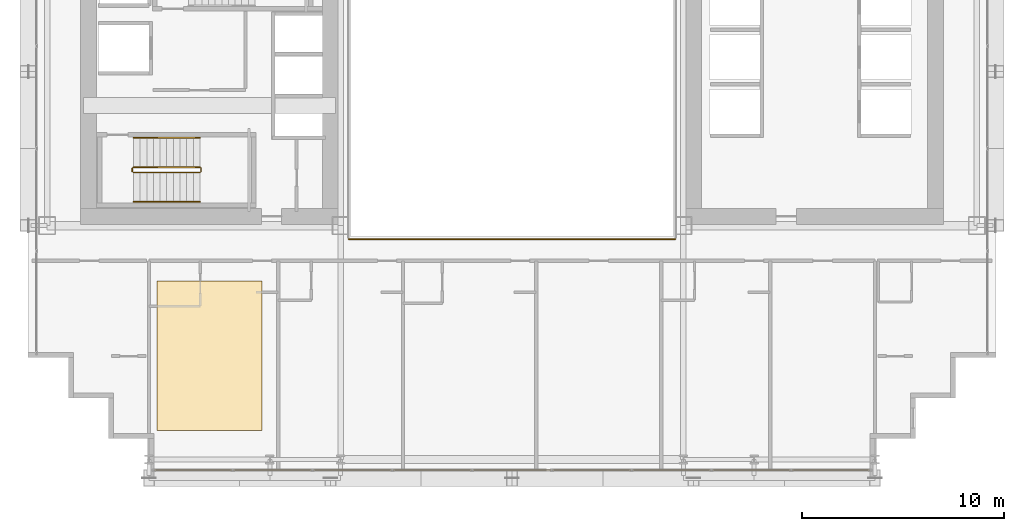
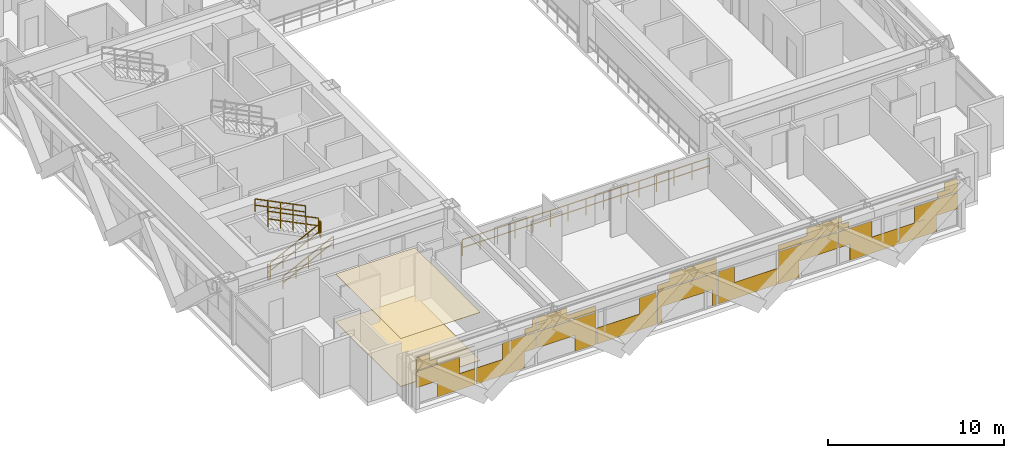
# One storey, part 35 of 38: 7 railings, 3 coverings.
"""IFC4 building model written with IfcOpenShell, lengths in metres."""

from ifc_helpers import new_model, si_unit, direction, frame, origin, origin_2d, place, context, subcontext, project, spatial, polyline, rectangle, outline, extrude, material, layer, layer_set, type_object, element, save


model = new_model("IFC4")

# Units and contexts
model_context = context("Model", 3, precision=1e-05, world=origin(), true_north=direction((0.0, 1.0)))
body_context = subcontext(model_context, "Body", "Model", "MODEL_VIEW")
ifc_project = project(units=[si_unit("LENGTHUNIT", "METRE"), si_unit("AREAUNIT", "SQUARE_METRE"), si_unit("VOLUMEUNIT", "CUBIC_METRE"), si_unit("PLANEANGLEUNIT", "RADIAN"), si_unit("MASSUNIT", "GRAM", prefix="KILO")], contexts=[model_context])

# Site, building, storey
site_placement = place(None, origin())
site = spatial("IfcSite", under=ifc_project, at=site_placement, CompositionType="ELEMENT")
building_placement = place(site_placement, origin())
building = spatial("IfcBuilding", under=site, at=building_placement, Name="Ocotamira Hotel", CompositionType="ELEMENT")
storey_placement = place(building_placement, frame((0.0, 0.0, 45.60009765625)))
storey = spatial("IfcBuildingStorey", under=building, at=storey_placement, Name="L10", CompositionType="ELEMENT", Elevation=45.60009765625)

# Coverings
ifc_material_1 = material(Name="Perforated acoustic gypsum ceiling board", Category="gypsum")
ifc_layer_1 = layer(ifc_material_1, 0.02490234375)
ifc_layer_set_1 = layer_set([ifc_layer_1], Name="Perforated acoustic gypsum ceiling board")
covering_type_1 = type_object("IfcCoveringType", Name="COV-CEIL-25", PredefinedType="CEILING", material=ifc_layer_set_1)
covering_1_placement = place(storey_placement, frame((0.0, 0.0, 3.324951171875)))
element("IfcCovering", 1, at=covering_1_placement, inside=storey, type_object=covering_type_1, Name="L10 Acoustic Ceiling", PredefinedType="CEILING", context=body_context, shape_type="SweptSolid", body=[
    extrude(outline(polyline([(14.39990234375, 4.39990234375), (19.60009765625, 4.39990234375), (19.60009765625, 11.800048828125), (14.39990234375, 11.800048828125), (14.39990234375, 4.39990234375)])), origin(), (0.0, 0.0, 1.0), 0.02490234375),
])
ifc_material_2 = material(Name="Honed desert travertine stone flooring", Category="masonry")
ifc_layer_2 = layer(ifc_material_2, 0.030029296875)
ifc_layer_set_2 = layer_set([ifc_layer_2], Name="Honed desert travertine stone flooring")
covering_type_2 = type_object("IfcCoveringType", Name="COV-FLOR-30", PredefinedType="FLOORING", material=ifc_layer_set_2)
covering_2_placement = place(storey_placement, origin())
element("IfcCovering", 2, at=covering_2_placement, inside=storey, type_object=covering_type_2, Name="L10 Honed Stone Floor Finish", PredefinedType="FLOORING", context=body_context, shape_type="SweptSolid", body=[
    extrude(outline(polyline([(14.39990234375, 4.39990234375), (19.60009765625, 4.39990234375), (19.60009765625, 11.800048828125), (14.39990234375, 11.800048828125), (14.39990234375, 4.39990234375)])), origin(), (0.0, 0.0, 1.0), 0.02978515625),
])
ifc_material_3 = material(Name="Insulated pale-metal aluminium spandrel panel", Category="aluminium")
ifc_layer_3 = layer(ifc_material_3, 0.044921875)
ifc_layer_set_3 = layer_set([ifc_layer_3], Name="Insulated pale-metal aluminium spandrel panel")
covering_type_3 = type_object("IfcCoveringType", Name="COV-INFILL-45", PredefinedType="CLADDING", material=ifc_layer_set_3)
covering_3_placement = place(storey_placement, origin())
element("IfcCovering", 3, at=covering_3_placement, inside=storey, type_object=covering_type_3, Name="L10 Curtain Wall Infill CW-2 CW-L10-S1", PredefinedType="CLADDING", context=body_context, shape_type="SweptSolid", body=[
    extrude(rectangle(XDim=2.822265625, YDim=0.044921875, at=origin_2d()), frame((15.691650390625, 2.419921875, 1.194091796875), z_axis=(0.0, 0.0, 1.0), x_axis=(1.0, 0.0, 0.0)), (0.0, 0.0, 1.0), 1.11767578125),
    extrude(rectangle(XDim=2.4521484375, YDim=0.044921875, at=origin_2d()), frame((16.888916015625, 2.419921875, 0.0751953125), z_axis=(0.0, 0.0, 1.0), x_axis=(1.0, 0.0, 0.0)), (0.0, 0.0, 1.0), 1.117919921875),
    extrude(rectangle(XDim=1.330078125, YDim=0.044921875, at=origin_2d()), frame((14.945556640625, 2.419921875, 2.3876953125), z_axis=(0.0, 0.0, 1.0), x_axis=(1.0, 0.0, 0.0)), (0.0, 0.0, 1.0), 0.344482421875),
    extrude(rectangle(XDim=3.834716796875, YDim=0.044921875, at=origin_2d()), frame((16.19775390625, 2.419921875, 2.7333984375), z_axis=(0.0, 0.0, 1.0), x_axis=(1.0, 0.0, 0.0)), (0.0, 0.0, 1.0), 0.0302734375),
    extrude(rectangle(XDim=0.859130859375, YDim=0.044921875, at=origin_2d()), frame((14.7099609375, 2.419921875, 2.7646484375), z_axis=(0.0, 0.0, 1.0), x_axis=(1.0, 0.0, 0.0)), (0.0, 0.0, 1.0), 0.509765625),
    extrude(rectangle(XDim=3.14111328125, YDim=0.044921875, at=origin_2d()), frame((19.7666015625, 2.419921875, 0.0751953125), z_axis=(0.0, 0.0, 1.0), x_axis=(1.0, 0.0, 0.0)), (0.0, 0.0, 1.0), 1.117919921875),
    extrude(rectangle(XDim=2.17333984375, YDim=0.044921875, at=origin_2d()), frame((20.98388671875, 2.419921875, 1.194091796875), z_axis=(0.0, 0.0, 1.0), x_axis=(1.0, 0.0, 0.0)), (0.0, 0.0, 1.0), 1.11767578125),
    extrude(rectangle(XDim=0.68115234375, YDim=0.044921875, at=origin_2d()), frame((21.72998046875, 2.419921875, 2.3876953125), z_axis=(0.0, 0.0, 1.0), x_axis=(1.0, 0.0, 0.0)), (0.0, 0.0, 1.0), 0.375732421875),
    extrude(rectangle(XDim=0.210205078125, YDim=0.044921875, at=origin_2d()), frame((21.965576171875, 2.419921875, 2.7646484375), z_axis=(0.0, 0.0, 1.0), x_axis=(1.0, 0.0, 0.0)), (0.0, 0.0, 1.0), 0.509765625),
    extrude(rectangle(XDim=3.87451171875, YDim=0.044921875, at=origin_2d()), frame((24.0888671875, 2.419921875, 1.194091796875), z_axis=(0.0, 0.0, 1.0), x_axis=(1.0, 0.0, 0.0)), (0.0, 0.0, 1.0), 1.11767578125),
    extrude(rectangle(XDim=1.36328125, YDim=0.044921875, at=origin_2d()), frame((25.344482421875, 2.419921875, 0.0751953125), z_axis=(0.0, 0.0, 1.0), x_axis=(1.0, 0.0, 0.0)), (0.0, 0.0, 1.0), 1.117919921875),
    extrude(rectangle(XDim=3.87451171875, YDim=0.044921875, at=origin_2d()), frame((24.0888671875, 2.419921875, 2.3876953125), z_axis=(0.0, 0.0, 1.0), x_axis=(1.0, 0.0, 0.0)), (0.0, 0.0, 1.0), 0.375732421875),
    extrude(rectangle(XDim=1.988037109375, YDim=0.044921875, at=origin_2d()), frame((23.1455078125, 2.419921875, 2.7646484375), z_axis=(0.0, 0.0, 1.0), x_axis=(1.0, 0.0, 0.0)), (0.0, 0.0, 1.0), 0.509765625),
    extrude(rectangle(XDim=3.87451171875, YDim=0.044921875, at=origin_2d()), frame((28.04443359375, 2.419921875, 0.0751953125), z_axis=(0.0, 0.0, 1.0), x_axis=(1.0, 0.0, 0.0)), (0.0, 0.0, 1.0), 1.117919921875),
    extrude(rectangle(XDim=1.08447265625, YDim=0.044921875, at=origin_2d()), frame((29.439453125, 2.419921875, 1.194091796875), z_axis=(0.0, 0.0, 1.0), x_axis=(1.0, 0.0, 0.0)), (0.0, 0.0, 1.0), 1.11767578125),
    extrude(rectangle(XDim=0.2744140625, YDim=0.044921875, at=origin_2d()), frame((30.199951171875, 2.419921875, 0.0751953125), z_axis=(0.0, 0.0, 1.0), x_axis=(1.0, 0.0, 0.0)), (0.0, 0.0, 1.0), 1.117919921875),
    extrude(rectangle(XDim=3.87451171875, YDim=0.044921875, at=origin_2d()), frame((32.0, 2.419921875, 1.194091796875), z_axis=(0.0, 0.0, 1.0), x_axis=(1.0, 0.0, 0.0)), (0.0, 0.0, 1.0), 1.11767578125),
    extrude(rectangle(XDim=0.2744140625, YDim=0.044921875, at=origin_2d()), frame((33.800048828125, 2.419921875, 0.0751953125), z_axis=(0.0, 0.0, 1.0), x_axis=(1.0, 0.0, 0.0)), (0.0, 0.0, 1.0), 1.117919921875),
    extrude(rectangle(XDim=3.87451171875, YDim=0.044921875, at=origin_2d()), frame((32.0, 2.419921875, 2.3876953125), z_axis=(0.0, 0.0, 1.0), x_axis=(1.0, 0.0, 0.0)), (0.0, 0.0, 1.0), 0.375732421875),
    extrude(rectangle(XDim=3.076904296875, YDim=0.044921875, at=origin_2d()), frame((32.39892578125, 2.419921875, 2.7646484375), z_axis=(0.0, 0.0, 1.0), x_axis=(1.0, 0.0, 0.0)), (0.0, 0.0, 1.0), 0.509765625),
    extrude(rectangle(XDim=3.87451171875, YDim=0.044921875, at=origin_2d()), frame((35.95556640625, 2.419921875, 0.0751953125), z_axis=(0.0, 0.0, 1.0), x_axis=(1.0, 0.0, 0.0)), (0.0, 0.0, 1.0), 1.117919921875),
    extrude(rectangle(XDim=1.08447265625, YDim=0.044921875, at=origin_2d()), frame((34.560546875, 2.419921875, 1.194091796875), z_axis=(0.0, 0.0, 1.0), x_axis=(1.0, 0.0, 0.0)), (0.0, 0.0, 1.0), 1.11767578125),
    extrude(rectangle(XDim=1.36328125, YDim=0.044921875, at=origin_2d()), frame((38.655517578125, 2.419921875, 0.0751953125), z_axis=(0.0, 0.0, 1.0), x_axis=(1.0, 0.0, 0.0)), (0.0, 0.0, 1.0), 1.117919921875),
    extrude(rectangle(XDim=3.87451171875, YDim=0.044921875, at=origin_2d()), frame((39.9111328125, 2.419921875, 1.194091796875), z_axis=(0.0, 0.0, 1.0), x_axis=(1.0, 0.0, 0.0)), (0.0, 0.0, 1.0), 1.11767578125),
    extrude(rectangle(XDim=3.87451171875, YDim=0.044921875, at=origin_2d()), frame((39.9111328125, 2.419921875, 2.3876953125), z_axis=(0.0, 0.0, 1.0), x_axis=(1.0, 0.0, 0.0)), (0.0, 0.0, 1.0), 0.375732421875),
    extrude(rectangle(XDim=1.988037109375, YDim=0.044921875, at=origin_2d()), frame((40.8544921875, 2.419921875, 2.7646484375), z_axis=(0.0, 0.0, 1.0), x_axis=(1.0, 0.0, 0.0)), (0.0, 0.0, 1.0), 0.509765625),
    extrude(rectangle(XDim=2.17333984375, YDim=0.044921875, at=origin_2d()), frame((43.01611328125, 2.419921875, 1.194091796875), z_axis=(0.0, 0.0, 1.0), x_axis=(1.0, 0.0, 0.0)), (0.0, 0.0, 1.0), 1.11767578125),
    extrude(rectangle(XDim=3.14111328125, YDim=0.044921875, at=origin_2d()), frame((44.2333984375, 2.419921875, 0.0751953125), z_axis=(0.0, 0.0, 1.0), x_axis=(1.0, 0.0, 0.0)), (0.0, 0.0, 1.0), 1.117919921875),
    extrude(rectangle(XDim=0.68115234375, YDim=0.044921875, at=origin_2d()), frame((42.27001953125, 2.419921875, 2.3876953125), z_axis=(0.0, 0.0, 1.0), x_axis=(1.0, 0.0, 0.0)), (0.0, 0.0, 1.0), 0.375732421875),
    extrude(rectangle(XDim=0.210205078125, YDim=0.044921875, at=origin_2d()), frame((42.034423828125, 2.419921875, 2.7646484375), z_axis=(0.0, 0.0, 1.0), x_axis=(1.0, 0.0, 0.0)), (0.0, 0.0, 1.0), 0.509765625),
    extrude(rectangle(XDim=2.4521484375, YDim=0.044921875, at=origin_2d()), frame((47.111083984375, 2.419921875, 0.0751953125), z_axis=(0.0, 0.0, 1.0), x_axis=(1.0, 0.0, 0.0)), (0.0, 0.0, 1.0), 1.117919921875),
    extrude(rectangle(XDim=2.822265625, YDim=0.044921875, at=origin_2d()), frame((48.308349609375, 2.419921875, 1.194091796875), z_axis=(0.0, 0.0, 1.0), x_axis=(1.0, 0.0, 0.0)), (0.0, 0.0, 1.0), 1.11767578125),
    extrude(rectangle(XDim=3.834716796875, YDim=0.044921875, at=origin_2d()), frame((47.80224609375, 2.419921875, 2.7333984375), z_axis=(0.0, 0.0, 1.0), x_axis=(1.0, 0.0, 0.0)), (0.0, 0.0, 1.0), 0.0302734375),
    extrude(rectangle(XDim=1.330078125, YDim=0.044921875, at=origin_2d()), frame((49.054443359375, 2.419921875, 2.3876953125), z_axis=(0.0, 0.0, 1.0), x_axis=(1.0, 0.0, 0.0)), (0.0, 0.0, 1.0), 0.344482421875),
    extrude(rectangle(XDim=0.859130859375, YDim=0.044921875, at=origin_2d()), frame((49.2900390625, 2.419921875, 2.7646484375), z_axis=(0.0, 0.0, 1.0), x_axis=(1.0, 0.0, 0.0)), (0.0, 0.0, 1.0), 0.509765625),
])

# Railings
ifc_material_4 = material(Name="Painted steel stair guardrail", Category="steel")
railing_type_1 = type_object("IfcRailingType", Name="RL-EDGE-1150", PredefinedType="GUARDRAIL", material=ifc_material_4)
railing_1_placement = place(storey_placement, frame((23.89990234375, 13.8798828125, 0.0)))
element("IfcRailing", 4, at=railing_1_placement, inside=storey, type_object=railing_type_1, Name="L10 Central Atrium Edge Guardrail S", PredefinedType="GUARDRAIL", context=body_context, shape_type="SweptSolid", body=[
    extrude(rectangle(XDim=0.048095703125, YDim=0.048095703125, at=origin_2d()), frame((0.0, 0.0, 1.1259765625), z_axis=(1.0, 0.0, 0.0), x_axis=(0.0, 1.0, 0.0)), (0.0, 0.0, 1.0), 16.2001953125),
    extrude(rectangle(XDim=0.048095703125, YDim=0.048095703125, at=origin_2d()), frame((0.0, 0.0, 0.574951171875), z_axis=(1.0, 0.0, 0.0), x_axis=(0.0, 1.0, 0.0)), (0.0, 0.0, 1.0), 16.2001953125),
    extrude(rectangle(XDim=0.0419921875, YDim=0.0419921875, at=origin_2d()), origin(), (0.0, 0.0, 1.0), 1.101806640625),
    extrude(rectangle(XDim=0.0419921875, YDim=0.0419921875, at=origin_2d()), frame((1.1572265625, 0.0, 0.0)), (0.0, 0.0, 1.0), 1.101806640625),
    extrude(rectangle(XDim=0.0419921875, YDim=0.0419921875, at=origin_2d()), frame((2.314208984375, 0.0, 0.0)), (0.0, 0.0, 1.0), 1.101806640625),
    extrude(rectangle(XDim=0.0419921875, YDim=0.0419921875, at=origin_2d()), frame((3.471435546875, 0.0, 0.0)), (0.0, 0.0, 1.0), 1.101806640625),
    extrude(rectangle(XDim=0.0419921875, YDim=0.0419921875, at=origin_2d()), frame((4.628662109375, 0.0, 0.0)), (0.0, 0.0, 1.0), 1.101806640625),
    extrude(rectangle(XDim=0.0419921875, YDim=0.0419921875, at=origin_2d()), frame((5.785888671875, 0.0, 0.0)), (0.0, 0.0, 1.0), 1.101806640625),
    extrude(rectangle(XDim=0.0419921875, YDim=0.0419921875, at=origin_2d()), frame((6.94287109375, 0.0, 0.0)), (0.0, 0.0, 1.0), 1.101806640625),
    extrude(rectangle(XDim=0.0419921875, YDim=0.0419921875, at=origin_2d()), frame((8.10009765625, 0.0, 0.0)), (0.0, 0.0, 1.0), 1.101806640625),
    extrude(rectangle(XDim=0.0419921875, YDim=0.0419921875, at=origin_2d()), frame((9.25732421875, 0.0, 0.0)), (0.0, 0.0, 1.0), 1.101806640625),
    extrude(rectangle(XDim=0.0419921875, YDim=0.0419921875, at=origin_2d()), frame((10.414306640625, 0.0, 0.0)), (0.0, 0.0, 1.0), 1.101806640625),
    extrude(rectangle(XDim=0.0419921875, YDim=0.0419921875, at=origin_2d()), frame((11.571533203125, 0.0, 0.0)), (0.0, 0.0, 1.0), 1.101806640625),
    extrude(rectangle(XDim=0.0419921875, YDim=0.0419921875, at=origin_2d()), frame((12.728759765625, 0.0, 0.0)), (0.0, 0.0, 1.0), 1.101806640625),
    extrude(rectangle(XDim=0.0419921875, YDim=0.0419921875, at=origin_2d()), frame((13.885986328125, 0.0, 0.0)), (0.0, 0.0, 1.0), 1.101806640625),
    extrude(rectangle(XDim=0.0419921875, YDim=0.0419921875, at=origin_2d()), frame((15.04296875, 0.0, 0.0)), (0.0, 0.0, 1.0), 1.101806640625),
    extrude(rectangle(XDim=0.0419921875, YDim=0.0419921875, at=origin_2d()), frame((16.2001953125, 0.0, 0.0)), (0.0, 0.0, 1.0), 1.101806640625),
])
ifc_material_5 = material(Name="Brushed stainless steel handrail", Category="steel")
railing_type_2 = type_object("IfcRailingType", Name="RL-HAND-900", PredefinedType="HANDRAIL", material=ifc_material_5)
railing_2_placement = place(storey_placement, frame((13.22998046875, 15.719970703125, 0.3271484375)))
element("IfcRailing", 5, at=railing_2_placement, inside=storey, type_object=railing_type_2, Name="L10 ST-1 stair handrail 1", PredefinedType="HANDRAIL", context=body_context, shape_type="SweptSolid", body=[
    extrude(rectangle(XDim=0.048095703125, YDim=0.048095703125, at=origin_2d()), frame((0.0, 0.0, 0.8759765625), z_axis=(0.895893744519, 0.0, 0.4442683857), x_axis=(0.0, 1.0, 0.0)), (0.0, 0.0, 1.0), 3.68359375),
    extrude(rectangle(XDim=0.048095703125, YDim=0.048095703125, at=origin_2d()), frame((0.0, 0.0, 0.449951171875), z_axis=(0.895893744519, 0.0, 0.4442683857), x_axis=(0.0, 1.0, 0.0)), (0.0, 0.0, 1.0), 3.68359375),
    extrude(rectangle(XDim=0.0419921875, YDim=0.0419921875, at=origin_2d()), origin(), (0.0, 0.0, 1.0), 0.851806640625),
    extrude(rectangle(XDim=0.0419921875, YDim=0.0419921875, at=origin_2d()), frame((0.824951171875, 0.0, 0.4091796875)), (0.0, 0.0, 1.0), 0.851806640625),
    extrude(rectangle(XDim=0.0419921875, YDim=0.0419921875, at=origin_2d()), frame((1.64990234375, 0.0, 0.818359375)), (0.0, 0.0, 1.0), 0.851806640625),
    extrude(rectangle(XDim=0.0419921875, YDim=0.0419921875, at=origin_2d()), frame((2.47509765625, 0.0, 1.227294921875)), (0.0, 0.0, 1.0), 0.851806640625),
    extrude(rectangle(XDim=0.0419921875, YDim=0.0419921875, at=origin_2d()), frame((3.300048828125, 0.0, 1.636474609375)), (0.0, 0.0, 1.0), 0.851806640625),
])
railing_3_placement = place(storey_placement, frame((16.530029296875, 18.89990234375, 2.127197265625)))
element("IfcRailing", 6, at=railing_3_placement, inside=storey, type_object=railing_type_2, Name="L10 ST-1 stair handrail 2", PredefinedType="HANDRAIL", context=body_context, shape_type="SweptSolid", body=[
    extrude(rectangle(XDim=0.048095703125, YDim=0.048095703125, at=origin_2d()), frame((0.0, 0.0, 0.8759765625), z_axis=(-0.895920123917, 0.0, 0.444215186098), x_axis=(0.0, -1.0, 0.0)), (0.0, 0.0, 1.0), 3.683349609375),
    extrude(rectangle(XDim=0.048095703125, YDim=0.048095703125, at=origin_2d()), frame((0.0, 0.0, 0.449951171875), z_axis=(-0.895920123917, 0.0, 0.444215186098), x_axis=(0.0, -1.0, 0.0)), (0.0, 0.0, 1.0), 3.683349609375),
    extrude(rectangle(XDim=0.0419921875, YDim=0.0419921875, at=origin_2d()), origin(), (0.0, 0.0, 1.0), 0.851806640625),
    extrude(rectangle(XDim=0.0419921875, YDim=0.0419921875, at=origin_2d()), frame((-0.824951171875, 0.0, 0.4091796875)), (0.0, 0.0, 1.0), 0.851806640625),
    extrude(rectangle(XDim=0.0419921875, YDim=0.0419921875, at=origin_2d()), frame((-1.64990234375, 0.0, 0.818115234375)), (0.0, 0.0, 1.0), 0.851806640625),
    extrude(rectangle(XDim=0.0419921875, YDim=0.0419921875, at=origin_2d()), frame((-2.47509765625, 0.0, 1.22705078125)), (0.0, 0.0, 1.0), 0.851806640625),
    extrude(rectangle(XDim=0.0419921875, YDim=0.0419921875, at=origin_2d()), frame((-3.300048828125, 0.0, 1.63623046875)), (0.0, 0.0, 1.0), 0.851806640625),
])
railing_type_3 = type_object("IfcRailingType", Name="RL-STAIR-1100", PredefinedType="GUARDRAIL", material=ifc_material_4)
railing_4_placement = place(storey_placement, frame((13.22998046875, 17.179931640625, 0.16357421875)))
element("IfcRailing", 7, at=railing_4_placement, inside=storey, type_object=railing_type_3, Name="L10 ST-1 stair guard 1", PredefinedType="GUARDRAIL", context=body_context, shape_type="SweptSolid", body=[
    extrude(rectangle(XDim=0.048095703125, YDim=0.048095703125, at=origin_2d()), frame((0.0, 0.0, 1.076171875), z_axis=(0.895920123917, 0.0, 0.444215186098), x_axis=(0.0, 1.0, 0.0)), (0.0, 0.0, 1.0), 3.683349609375),
    extrude(rectangle(XDim=0.048095703125, YDim=0.048095703125, at=origin_2d()), frame((0.0, 0.0, 0.550048828125), z_axis=(0.895920123917, 0.0, 0.444215186098), x_axis=(0.0, 1.0, 0.0)), (0.0, 0.0, 1.0), 3.683349609375),
    extrude(rectangle(XDim=0.0419921875, YDim=0.0419921875, at=origin_2d()), origin(), (0.0, 0.0, 1.0), 1.052001953125),
    extrude(rectangle(XDim=0.0419921875, YDim=0.0419921875, at=origin_2d()), frame((0.824951171875, 0.0, 0.4091796875)), (0.0, 0.0, 1.0), 1.052001953125),
    extrude(rectangle(XDim=0.0419921875, YDim=0.0419921875, at=origin_2d()), frame((1.64990234375, 0.0, 0.818115234375)), (0.0, 0.0, 1.0), 1.052001953125),
    extrude(rectangle(XDim=0.0419921875, YDim=0.0419921875, at=origin_2d()), frame((2.47509765625, 0.0, 1.22705078125)), (0.0, 0.0, 1.0), 1.052001953125),
    extrude(rectangle(XDim=0.0419921875, YDim=0.0419921875, at=origin_2d()), frame((3.300048828125, 0.0, 1.63623046875)), (0.0, 0.0, 1.0), 1.052001953125),
])
railing_5_placement = place(storey_placement, frame((16.580078125, 17.22998046875, 1.7998046875)))
element("IfcRailing", 8, at=railing_5_placement, inside=storey, type_object=railing_type_3, Name="L10 ST-1 stair guard 2", PredefinedType="GUARDRAIL", context=body_context, shape_type="SweptSolid", body=[
    extrude(rectangle(XDim=0.048095703125, YDim=0.048095703125, at=origin_2d()), frame((0.0, 0.0, 1.076171875), z_axis=(0.0, 1.0, 0.0), x_axis=(-1.0, 0.0, 0.0)), (0.0, 0.0, 1.0), 0.159912109375),
    extrude(rectangle(XDim=0.048095703125, YDim=0.048095703125, at=origin_2d()), frame((0.0, 0.0, 0.550048828125), z_axis=(0.0, 1.0, 0.0), x_axis=(-1.0, 0.0, 0.0)), (0.0, 0.0, 1.0), 0.159912109375),
    extrude(rectangle(XDim=0.0419921875, YDim=0.0419921875, at=origin_2d()), origin(), (0.0, 0.0, 1.0), 1.052001953125),
    extrude(rectangle(XDim=0.0419921875, YDim=0.0419921875, at=origin_2d()), frame((0.0, 0.159912109375, 0.0)), (0.0, 0.0, 1.0), 1.052001953125),
])
railing_6_placement = place(storey_placement, frame((16.530029296875, 17.43994140625, 1.963623046875)))
element("IfcRailing", 9, at=railing_6_placement, inside=storey, type_object=railing_type_3, Name="L10 ST-1 stair guard 3", PredefinedType="GUARDRAIL", context=body_context, shape_type="SweptSolid", body=[
    extrude(rectangle(XDim=0.048095703125, YDim=0.048095703125, at=origin_2d()), frame((0.0, 0.0, 1.076171875), z_axis=(-0.895920123917, 0.0, 0.444215186098), x_axis=(0.0, -1.0, 0.0)), (0.0, 0.0, 1.0), 3.683349609375),
    extrude(rectangle(XDim=0.048095703125, YDim=0.048095703125, at=origin_2d()), frame((0.0, 0.0, 0.550048828125), z_axis=(-0.895920123917, 0.0, 0.444215186098), x_axis=(0.0, -1.0, 0.0)), (0.0, 0.0, 1.0), 3.683349609375),
    extrude(rectangle(XDim=0.0419921875, YDim=0.0419921875, at=origin_2d()), origin(), (0.0, 0.0, 1.0), 1.052001953125),
    extrude(rectangle(XDim=0.0419921875, YDim=0.0419921875, at=origin_2d()), frame((-0.824951171875, 0.0, 0.4091796875)), (0.0, 0.0, 1.0), 1.052001953125),
    extrude(rectangle(XDim=0.0419921875, YDim=0.0419921875, at=origin_2d()), frame((-1.64990234375, 0.0, 0.818115234375)), (0.0, 0.0, 1.0), 1.052001953125),
    extrude(rectangle(XDim=0.0419921875, YDim=0.0419921875, at=origin_2d()), frame((-2.47509765625, 0.0, 1.22705078125)), (0.0, 0.0, 1.0), 1.052001953125),
    extrude(rectangle(XDim=0.0419921875, YDim=0.0419921875, at=origin_2d()), frame((-3.300048828125, 0.0, 1.63623046875)), (0.0, 0.0, 1.0), 1.052001953125),
])
railing_7_placement = place(storey_placement, frame((13.179931640625, 17.22998046875, 0.0)))
element("IfcRailing", 10, at=railing_7_placement, inside=storey, type_object=railing_type_3, Name="L10 ST-1 stair guard 4", PredefinedType="GUARDRAIL", context=body_context, shape_type="SweptSolid", body=[
    extrude(rectangle(XDim=0.048095703125, YDim=0.048095703125, at=origin_2d()), frame((0.0, 0.0, 1.076171875), z_axis=(0.0, 1.0, 0.0), x_axis=(-1.0, 0.0, 0.0)), (0.0, 0.0, 1.0), 0.159912109375),
    extrude(rectangle(XDim=0.048095703125, YDim=0.048095703125, at=origin_2d()), frame((0.0, 0.0, 0.550048828125), z_axis=(0.0, 1.0, 0.0), x_axis=(-1.0, 0.0, 0.0)), (0.0, 0.0, 1.0), 0.159912109375),
    extrude(rectangle(XDim=0.0419921875, YDim=0.0419921875, at=origin_2d()), origin(), (0.0, 0.0, 1.0), 1.052001953125),
    extrude(rectangle(XDim=0.0419921875, YDim=0.0419921875, at=origin_2d()), frame((0.0, 0.159912109375, 0.0)), (0.0, 0.0, 1.0), 1.052001953125),
])

save(model, "model.ifc")
